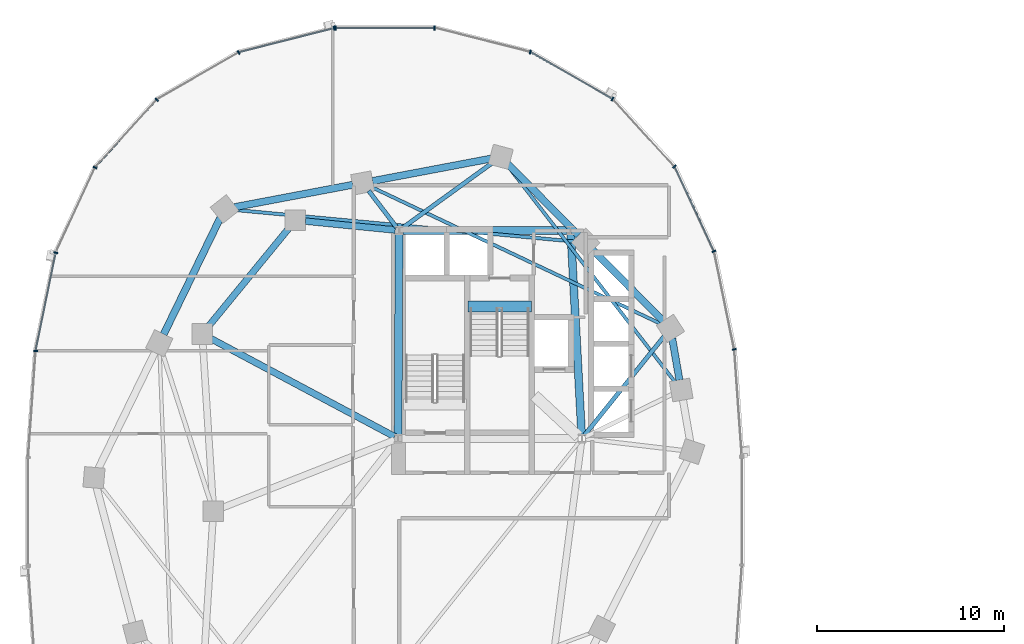
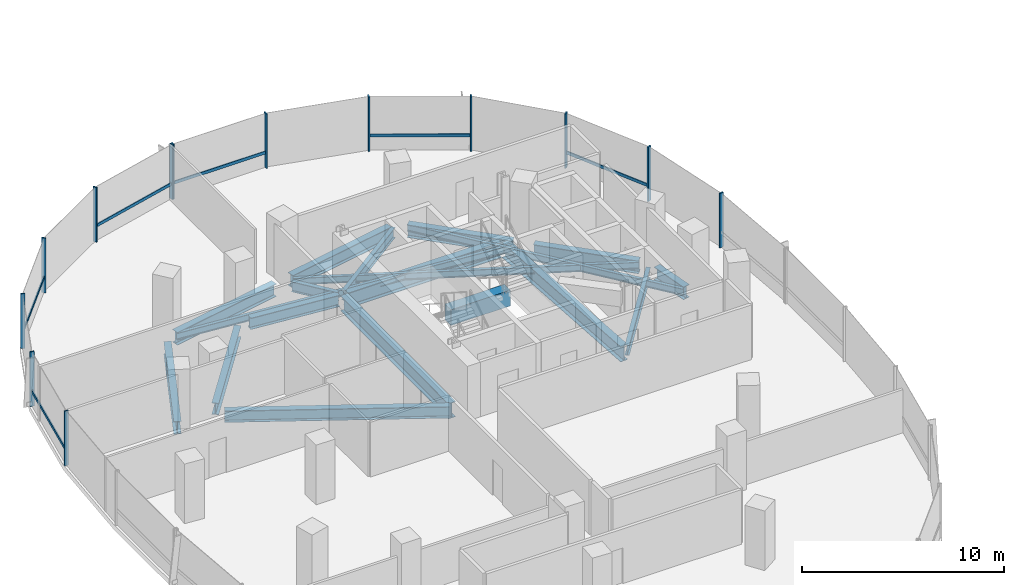
# One storey, part 4 of 21: 19 beams, 19 members, 2 elements without a shape of their own.
"""IFC4 building model written with IfcOpenShell, lengths in metres."""

import ifcopenshell
import ifcopenshell.guid

model = None  # the IFC model being written
_history = None  # IfcOwnerHistory: only IFC2X3 demands one
_inside = {}  # id of a spatial element -> (the spatial element, [elements in it])
_under = {}  # id of a project, library or spatial element -> (it, [spatial elements below it])
_declared = {}  # id of a project -> (the project, [libraries it declares])
_typed = {}  # id of a type object -> (the type object, [elements of that type])
_made_of = {}  # id of a material, layer set ... -> (it, [elements and type objects made of it])


def new_model(schema):
    """Start an empty IFC model of exactly this schema.

    Asked for "IFC4X3", IfcOpenShell would pick the latest addendum, in which some entities
    have other attributes; the version numbers below select the first issue.
    IFC2X3 requires an IfcOwnerHistory on every rooted entity: one is made here for all.
    """
    global model, _history
    if schema == "IFC4X3":
        model = ifcopenshell.file(schema_version=(4, 3, 0, 0))
    else:
        model = ifcopenshell.file(schema=schema)
    _inside.clear()
    _under.clear()
    _declared.clear()
    _typed.clear()
    _made_of.clear()
    _history = None
    if model.schema == "IFC2X3":
        org = make("IfcOrganization", Name="unknown")
        user = make(
            "IfcPersonAndOrganization",
            ThePerson=make("IfcPerson", FamilyName="unknown"),
            TheOrganization=org,
        )
        app = make(
            "IfcApplication",
            ApplicationDeveloper=org,
            Version="unknown",
            ApplicationFullName="unknown",
            ApplicationIdentifier="unknown",
        )
        _history = make(
            "IfcOwnerHistory",
            OwningUser=user,
            OwningApplication=app,
            ChangeAction="ADDED",
            CreationDate=0,
        )
    return model


def make(cls, **values):
    """One entity of the class cls with the attributes given. An attribute that is None is left unset."""
    return model.create_entity(
        cls, **{name: value for name, value in values.items() if value is not None}
    )


def rooted(cls, **values):
    """An entity with a GlobalId (a new one), such as an element, a storey or a relation."""
    return make(cls, GlobalId=ifcopenshell.guid.new(), OwnerHistory=_history, **values)


def si_unit(unit_type, name, prefix=None):
    """IfcSIUnit, for example si_unit("LENGTHUNIT", "METRE", prefix="MILLI")."""
    return make("IfcSIUnit", UnitType=unit_type, Prefix=prefix, Name=name)


def assignment(units):
    """IfcUnitAssignment: the units of a project."""
    return None if units is None else make("IfcUnitAssignment", Units=units)


def point(xyz):
    """IfcCartesianPoint."""
    return None if xyz is None else make("IfcCartesianPoint", Coordinates=xyz)


def direction(xyz):
    """IfcDirection."""
    return None if xyz is None else make("IfcDirection", DirectionRatios=xyz)


def frame(location, z_axis=None, x_axis=None):
    """IfcAxis2Placement3D, a coordinate frame: its origin and axes. An axis left out is left unset."""
    return make(
        "IfcAxis2Placement3D",
        Location=point(location),
        Axis=direction(z_axis),
        RefDirection=direction(x_axis),
    )


def frame_2d(location, x_axis=None):
    """IfcAxis2Placement2D, a coordinate frame in the plane: its origin and x axis."""
    return make(
        "IfcAxis2Placement2D", Location=point(location), RefDirection=direction(x_axis)
    )


def origin():
    """The frame at (0, 0, 0) with its axes left unset."""
    return frame((0.0, 0.0, 0.0))


def origin_2d():
    """The frame at (0, 0) in the plane with its x axis left unset."""
    return frame_2d((0.0, 0.0))


def place(relative_to, where):
    """IfcLocalPlacement: puts the frame where relative to a parent placement (None: the world)."""
    return make(
        "IfcLocalPlacement", PlacementRelTo=relative_to, RelativePlacement=where
    )


def context(
    kind, dimensions, precision=None, world=None, true_north=None, identifier=None
):
    """IfcGeometricRepresentationContext, for example the 3D "Model" context."""
    return make(
        "IfcGeometricRepresentationContext",
        ContextIdentifier=identifier,
        ContextType=kind,
        CoordinateSpaceDimension=dimensions,
        Precision=precision,
        WorldCoordinateSystem=world,
        TrueNorth=true_north,
    )


def subcontext(parent, identifier, kind, view, scale=None):
    """IfcGeometricRepresentationSubContext, for example "Body" below "Model"."""
    return make(
        "IfcGeometricRepresentationSubContext",
        ContextIdentifier=identifier,
        ContextType=kind,
        ParentContext=parent,
        TargetScale=scale,
        TargetView=view,
    )


def project(units=None, contexts=None):
    """IfcProject with its units and contexts."""
    return rooted(
        "IfcProject",
        Name="project",
        RepresentationContexts=contexts,
        UnitsInContext=assignment(units),
    )


def spatial(cls, under=None, at=None, **own):
    """A site, building, storey or space (cls), placed at a placement, below another one or the project."""
    s = rooted(cls, ObjectPlacement=at, **own)
    if under is not None:
        _under.setdefault(under.id(), (under, []))[1].append(s)
    return s


def profile(cls, at=None, kind="AREA", **sizes):
    """A parametric profile (cls). Its sizes go by their IFC names, for example OverallWidth=200.0."""
    return make(cls, ProfileType=kind, Position=at, **sizes)


def rectangle(**sizes):
    """IfcRectangleProfileDef."""
    return profile("IfcRectangleProfileDef", **sizes)


def i_section(**sizes):
    """IfcIShapeProfileDef."""
    return profile("IfcIShapeProfileDef", **sizes)


def extrude(swept, where, along, depth):
    """IfcExtrudedAreaSolid: the profile swept, set in the frame where, extruded along a direction by depth."""
    return make(
        "IfcExtrudedAreaSolid",
        SweptArea=swept,
        Position=where,
        ExtrudedDirection=direction(along),
        Depth=depth,
    )


def shape(context_of_items, identifier, shape_type, items):
    """IfcShapeRepresentation: the items that make up one representation, for example the "Body"."""
    return make(
        "IfcShapeRepresentation",
        ContextOfItems=context_of_items,
        RepresentationIdentifier=identifier,
        RepresentationType=shape_type,
        Items=items,
    )


def material(Name=None, Category=None):
    """IfcMaterial."""
    return make("IfcMaterial", Name=Name, Category=Category)


def material_profile(
    of_material, cross_section, Name=None, Category=None, Priority=None
):
    """IfcMaterialProfile: a cross section and its material."""
    return make(
        "IfcMaterialProfile",
        Name=Name,
        Material=of_material,
        Profile=cross_section,
        Priority=Priority,
        Category=Category,
    )


def profile_set(profiles, Name=None, composite=None):
    """IfcMaterialProfileSet."""
    return make(
        "IfcMaterialProfileSet",
        Name=Name,
        MaterialProfiles=profiles,
        CompositeProfile=composite,
    )


def made_of(thing, what):
    """Note that an element or type object is made of a material, layer set ...; save() writes the relation."""
    if what is not None:
        _made_of.setdefault(what.id(), (what, []))[1].append(thing)
    return thing


def type_object(cls, material=None, **own):
    """A type object (cls), such as IfcWallType, which elements share."""
    return made_of(rooted(cls, **own), material)


def element(
    cls,
    number,
    at=None,
    inside=None,
    cuts=None,
    type_object=None,
    material=None,
    context=None,
    identifier="Body",
    shape_type=None,
    held_by="IfcProductDefinitionShape",
    body=None,
    shapes=None,
    **own,
):
    """One element of the class cls, such as IfcWall. Its Tag is "e" and its number.

    at: its placement. inside: the storey or other place that contains it. cuts: it is an
    opening in that element (IfcRelVoidsElement). A single representation is given by context,
    identifier, shape_type and body (its items); several are given by shapes. held_by: the class
    of the entity that holds the representations. save() writes the other relations.
    """
    e = rooted(cls, Tag="e%d" % number, ObjectPlacement=at, **own)
    if body is not None:
        shapes = [shape(context, identifier, shape_type, body)]
    if shapes is not None:
        e.Representation = make(held_by, Representations=shapes)
    if inside is not None:
        _inside.setdefault(inside.id(), (inside, []))[1].append(e)
    if cuts is not None:
        rooted(
            "IfcRelVoidsElement", RelatingBuildingElement=cuts, RelatedOpeningElement=e
        )
    if type_object is not None:
        _typed.setdefault(type_object.id(), (type_object, []))[1].append(e)
    return made_of(e, material)


def aggregate(whole, parts):
    """IfcRelAggregates: a whole, such as a stair, and the parts it consists of."""
    return rooted("IfcRelAggregates", RelatingObject=whole, RelatedObjects=parts)


def save(model, path):
    """Write the relations noted so far, then the file.

    IfcRelAggregates (storeys below a building ...), IfcRelContainedInSpatialStructure (elements
    in a storey), IfcRelDefinesByType, IfcRelAssociatesMaterial and IfcRelDeclares: one each for
    every whole, place, type object, material and project.
    """
    for whole, parts in _under.values():
        aggregate(whole, parts)
    for where, things in _inside.values():
        rooted(
            "IfcRelContainedInSpatialStructure",
            RelatedElements=things,
            RelatingStructure=where,
        )
    for kind, things in _typed.values():
        rooted("IfcRelDefinesByType", RelatedObjects=things, RelatingType=kind)
    for what, things in _made_of.values():
        rooted("IfcRelAssociatesMaterial", RelatedObjects=things, RelatingMaterial=what)
    for by, libraries in _declared.values():
        rooted("IfcRelDeclares", RelatingContext=by, RelatedDefinitions=libraries)
    model.write(path)


model = new_model("IFC4")

# Units and contexts
model_context = context("Model", 3, precision=1e-05, world=origin(), true_north=direction((0.0, 1.0)))
body_context = subcontext(model_context, "Body", "Model", "MODEL_VIEW")
ifc_project = project(units=[si_unit("LENGTHUNIT", "METRE"), si_unit("AREAUNIT", "SQUARE_METRE"), si_unit("VOLUMEUNIT", "CUBIC_METRE"), si_unit("PLANEANGLEUNIT", "RADIAN"), si_unit("MASSUNIT", "GRAM", prefix="KILO"), si_unit("THERMODYNAMICTEMPERATUREUNIT", "KELVIN"), si_unit("POWERUNIT", "WATT")], contexts=[model_context])

# Site, building, storey
site_placement = place(None, origin())
site = spatial("IfcSite", under=ifc_project, at=site_placement, CompositionType="ELEMENT")
building_placement = place(site_placement, origin())
building = spatial("IfcBuilding", under=site, at=building_placement, Name="Cundina Bronze Exchange", CompositionType="ELEMENT")
storey_placement = place(building_placement, frame((0.0, 0.0, 110.60009765625)))
storey = spatial("IfcBuildingStorey", under=building, at=storey_placement, Name="L28", CompositionType="ELEMENT", Elevation=110.60009765625)

# Beams
ifc_material_1 = material(Name="Concrete C60/75", Category="concrete")
ifc_material_profile_1 = material_profile(ifc_material_1, rectangle(XDim=0.60009765625, YDim=0.949951171875, at=origin_2d()), Name="RC600X950", Category="concrete")
ifc_profile_set_1 = profile_set([ifc_material_profile_1], Name="Concrete C60/75")
beam_type_1 = type_object("IfcBeamType", Name="BM-COUP-RC950", PredefinedType="LINTEL", material=ifc_profile_set_1)
beam_1_placement = place(storey_placement, frame((-27.56005859375, 10.97998046875, -0.47509765625), z_axis=(1.0, 0.0, 0.0), x_axis=(0.0, 1.0, 0.0)))
element("IfcBeam", 1, at=beam_1_placement, inside=storey, type_object=beam_type_1, Name="L28 Stair W2 Landing Header Beam", PredefinedType="LINTEL", context=body_context, shape_type="SweptSolid", body=[
    extrude(rectangle(XDim=0.60009765625, YDim=0.949951171875, at=origin_2d()), origin(), (0.0, 0.0, 1.0), 3.400146484375),
])
ifc_material_2 = material(Name="Steel ASTM A992 Grade 50", Category="steel")
ifc_material_profile_2 = material_profile(ifc_material_2, i_section(OverallWidth=0.22998046875, OverallDepth=0.616943359375, WebThickness=0.01318359375, FlangeThickness=0.022216796875, FilletRadius=0.013916015625, at=origin_2d()), Name="W24X94", Category="steel")
ifc_profile_set_2 = profile_set([ifc_material_profile_2], Name="Steel ASTM A992 Grade 50")
beam_type_2 = type_object("IfcBeamType", Name="BM-FLR-W24B", PredefinedType="BEAM", material=ifc_profile_set_2)
beam_2_placement = place(storey_placement, frame((-21.322021484375, 4.058837890625, -0.608642578125), z_axis=(0.627106187843, 0.778933777139, 0.0), x_axis=(-0.778933777139, 0.627106187843, 0.0)))
element("IfcBeam", 2, at=beam_2_placement, inside=storey, type_object=beam_type_2, Name="L28 Leg W Radial Floor Beam 02", PredefinedType="BEAM", context=body_context, shape_type="SweptSolid", body=[
    extrude(i_section(OverallWidth=0.22998046875, OverallDepth=0.616943359375, WebThickness=0.01318359375, FlangeThickness=0.022216796875, FilletRadius=0.013916015625, at=origin_2d()), origin(), (0.0, 0.0, 1.0), 6.83251953125),
])
beam_3_placement = place(storey_placement, frame((-31.084716796875, 15.169677734375, -0.608642578125), z_axis=(0.809686957662, 0.586862020063, 0.0), x_axis=(-0.586862020063, 0.809686957662, 0.0)))
element("IfcBeam", 3, at=beam_3_placement, inside=storey, type_object=beam_type_2, Name="L28 Leg W Radial Floor Beam 04", PredefinedType="BEAM", context=body_context, shape_type="SweptSolid", body=[
    extrude(i_section(OverallWidth=0.22998046875, OverallDepth=0.616943359375, WebThickness=0.01318359375, FlangeThickness=0.022216796875, FilletRadius=0.013916015625, at=origin_2d()), origin(), (0.0, 0.0, 1.0), 5.98876953125),
])
beam_4_placement = place(storey_placement, frame((-31.373779296875, 15.2119140625, -0.608642578125), z_axis=(-0.607490490457, 0.79432695032, 0.0), x_axis=(-0.79432695032, -0.607490490457, 0.0)))
element("IfcBeam", 4, at=beam_4_placement, inside=storey, type_object=beam_type_2, Name="L28 Leg W Radial Floor Beam 05", PredefinedType="BEAM", context=body_context, shape_type="SweptSolid", body=[
    extrude(i_section(OverallWidth=0.22998046875, OverallDepth=0.616943359375, WebThickness=0.01318359375, FlangeThickness=0.022216796875, FilletRadius=0.013916015625, at=origin_2d()), origin(), (0.0, 0.0, 1.0), 2.46826171875),
])
ifc_material_profile_3 = material_profile(ifc_material_2, i_section(OverallWidth=0.178955078125, OverallDepth=0.409912109375, WebThickness=0.0087890625, FlangeThickness=0.014404296875, FilletRadius=0.010986328125, at=origin_2d()), Name="W16X45", Category="steel")
ifc_profile_set_3 = profile_set([ifc_material_profile_3], Name="Steel ASTM A992 Grade 50")
beam_type_3 = type_object("IfcBeamType", Name="BM-JST-W16", PredefinedType="JOIST", material=ifc_profile_set_3)
beam_5_placement = place(storey_placement, frame((-16.454345703125, 6.92529296875, -0.505126953125), z_axis=(-0.612065218806, 0.790807288742, 0.0), x_axis=(-0.790807288742, -0.612065218806, 0.0)))
element("IfcBeam", 5, at=beam_5_placement, inside=storey, type_object=beam_type_3, Name="L28 Leg W Lobe Floor Joist 01-04", PredefinedType="JOIST", context=body_context, shape_type="SweptSolid", body=[
    extrude(i_section(OverallWidth=0.178955078125, OverallDepth=0.409912109375, WebThickness=0.0087890625, FlangeThickness=0.014404296875, FilletRadius=0.010986328125, at=origin_2d()), origin(), (0.0, 0.0, 1.0), 14.73095703125),
])
beam_6_placement = place(storey_placement, frame((-17.186279296875, 10.02978515625, -0.505126953125), z_axis=(-0.904069270633, 0.427385954259, 0.0), x_axis=(-0.427385954259, -0.904069270633, 0.0)))
element("IfcBeam", 6, at=beam_6_placement, inside=storey, type_object=beam_type_3, Name="L28 Leg W Lobe Floor Joist 02-05", PredefinedType="JOIST", context=body_context, shape_type="SweptSolid", body=[
    extrude(i_section(OverallWidth=0.178955078125, OverallDepth=0.409912109375, WebThickness=0.0087890625, FlangeThickness=0.014404296875, FilletRadius=0.010986328125, at=origin_2d()), origin(), (0.0, 0.0, 1.0), 17.175048828125),
])
beam_7_placement = place(storey_placement, frame((-21.78564453125, 14.44970703125, -0.505126953125), z_axis=(-0.995700674022, 0.092629194921, 0.0), x_axis=(-0.092629194921, -0.995700674022, 0.0)))
element("IfcBeam", 7, at=beam_7_placement, inside=storey, type_object=beam_type_3, Name="L28 Leg W Lobe Floor Joist 03-06", PredefinedType="JOIST", context=body_context, shape_type="SweptSolid", body=[
    extrude(i_section(OverallWidth=0.178955078125, OverallDepth=0.409912109375, WebThickness=0.0087890625, FlangeThickness=0.014404296875, FilletRadius=0.010986328125, at=origin_2d()), origin(), (0.0, 0.0, 1.0), 18.357421875),
])
ifc_material_profile_4 = material_profile(ifc_material_2, i_section(OverallWidth=0.35498046875, OverallDepth=0.695068359375, WebThickness=0.015380859375, FlangeThickness=0.02490234375, FilletRadius=0.01806640625, at=origin_2d()), Name="W27X146", Category="steel")
ifc_profile_set_4 = profile_set([ifc_material_profile_4], Name="Steel ASTM A992 Grade 50")
beam_type_4 = type_object("IfcBeamType", Name="BM-RING-W27", PredefinedType="USERDEFINED", material=ifc_profile_set_4)
beam_8_placement = place(storey_placement, frame((-31.452880859375, 15.070068359375, -0.647705078125), z_axis=(-0.995126271817, 0.098608839051, 0.0), x_axis=(-0.098608839051, -0.995126271817, 0.0)))
element("IfcBeam", 8, at=beam_8_placement, inside=storey, type_object=beam_type_4, Name="L28 W Inner Structural Ring Girder 01", ObjectType="GIRDER", PredefinedType="USERDEFINED", context=body_context, shape_type="SweptSolid", body=[
    extrude(i_section(OverallWidth=0.35498046875, OverallDepth=0.695068359375, WebThickness=0.015380859375, FlangeThickness=0.02490234375, FilletRadius=0.01806640625, at=origin_2d()), origin(), (0.0, 0.0, 1.0), 4.83544921875),
])
beam_9_placement = place(storey_placement, frame((-37.14111328125, 15.183837890625, -0.647705078125), z_axis=(-0.633926549035, -0.773393257295, 0.0), x_axis=(0.773393257295, -0.633926549035, 0.0)))
element("IfcBeam", 9, at=beam_9_placement, inside=storey, type_object=beam_type_4, Name="L28 W Inner Structural Ring Girder 02", ObjectType="GIRDER", PredefinedType="USERDEFINED", context=body_context, shape_type="SweptSolid", body=[
    extrude(i_section(OverallWidth=0.35498046875, OverallDepth=0.695068359375, WebThickness=0.015380859375, FlangeThickness=0.02490234375, FilletRadius=0.01806640625, at=origin_2d()), origin(), (0.0, 0.0, 1.0), 6.811279296875),
])
beam_10_placement = place(storey_placement, frame((-31.47998046875, 3.99609375, -0.647705078125), z_axis=(-0.882354758239, 0.470584828286, 0.0), x_axis=(-0.470584828286, -0.882354758239, 0.0)))
element("IfcBeam", 10, at=beam_10_placement, inside=storey, type_object=beam_type_4, Name="L28 W Core-to-Waist Tie Beam 2", ObjectType="GIRDER", PredefinedType="USERDEFINED", context=body_context, shape_type="SweptSolid", body=[
    extrude(i_section(OverallWidth=0.35498046875, OverallDepth=0.695068359375, WebThickness=0.015380859375, FlangeThickness=0.02490234375, FilletRadius=0.01806640625, at=origin_2d()), origin(), (0.0, 0.0, 1.0), 11.157958984375),
])
ifc_material_profile_5 = material_profile(ifc_material_2, i_section(OverallWidth=0.381103515625, OverallDepth=0.77294921875, WebThickness=0.0166015625, FlangeThickness=0.027099609375, FilletRadius=0.01904296875, at=origin_2d()), Name="W30X173", Category="steel")
ifc_profile_set_5 = profile_set([ifc_material_profile_5], Name="Steel ASTM A992 Grade 50")
beam_type_5 = type_object("IfcBeamType", Name="BM-RING-W30", PredefinedType="USERDEFINED", material=ifc_profile_set_5)
beam_11_placement = place(storey_placement, frame((-16.21728515625, 7.030029296875, -0.6865234375), z_axis=(-0.171690078326, 0.985151012284, 0.0), x_axis=(-0.985151012284, -0.171690078326, 0.0)))
element("IfcBeam", 11, at=beam_11_placement, inside=storey, type_object=beam_type_5, Name="L28 W Perimeter Ring Girder 01", ObjectType="GIRDER", PredefinedType="USERDEFINED", context=body_context, shape_type="SweptSolid", body=[
    extrude(i_section(OverallWidth=0.381103515625, OverallDepth=0.77294921875, WebThickness=0.0166015625, FlangeThickness=0.027099609375, FilletRadius=0.01904296875, at=origin_2d()), origin(), (0.0, 0.0, 1.0), 2.273681640625),
])
for number, where, z_axis, x_axis, name in (
    (12, (-17.078369140625, 10.1826171875, -0.6865234375), (-0.703226342126, 0.7109660412, 0.0), (-0.7109660412, -0.703226342126, 0.0), "L28 W Perimeter Ring Girder 02"),
    (13, (-21.62841796875, 14.782470703125, -0.6865234375), (-0.703226342126, 0.7109660412, 0.0), (-0.7109660412, -0.703226342126, 0.0), "L28 W Perimeter Ring Girder 03"),
):
    element("IfcBeam", number, at=place(storey_placement, frame(where, z_axis=z_axis, x_axis=x_axis)), inside=storey, type_object=beam_type_5, Name=name, ObjectType="GIRDER", PredefinedType="USERDEFINED", context=body_context, shape_type="SweptSolid", body=[
        extrude(i_section(OverallWidth=0.381103515625, OverallDepth=0.77294921875, WebThickness=0.0166015625, FlangeThickness=0.027099609375, FilletRadius=0.01904296875, at=origin_2d()), origin(), (0.0, 0.0, 1.0), 5.39404296875),
    ])
for number, where, z_axis, x_axis, name in (
    (14, (-26.32861328125, 18.89990234375, -0.6865234375), (-0.98257117919, -0.185886733861, 0.0), (0.185886733861, -0.98257117919, 0.0), "L28 W Perimeter Ring Girder 04"),
    (15, (-33.728515625, 17.5, -0.6865234375), (-0.98257117919, -0.185886733861, 0.0), (0.185886733861, -0.98257117919, 0.0), "L28 W Perimeter Ring Girder 05"),
):
    element("IfcBeam", number, at=place(storey_placement, frame(where, z_axis=z_axis, x_axis=x_axis)), inside=storey, type_object=beam_type_5, Name=name, ObjectType="GIRDER", PredefinedType="USERDEFINED", context=body_context, shape_type="SweptSolid", body=[
        extrude(i_section(OverallWidth=0.381103515625, OverallDepth=0.77294921875, WebThickness=0.0166015625, FlangeThickness=0.027099609375, FilletRadius=0.01904296875, at=origin_2d()), origin(), (0.0, 0.0, 1.0), 6.455322265625),
    ])
beam_12_placement = place(storey_placement, frame((-40.835205078125, 15.716064453125, -0.6865234375), z_axis=(-0.437193894283, -0.899367276924, 0.0), x_axis=(0.899367276924, -0.437193894283, 0.0)))
element("IfcBeam", 16, at=beam_12_placement, inside=storey, type_object=beam_type_5, Name="L28 W Perimeter Ring Girder 06", ObjectType="GIRDER", PredefinedType="USERDEFINED", context=body_context, shape_type="SweptSolid", body=[
    extrude(i_section(OverallWidth=0.381103515625, OverallDepth=0.77294921875, WebThickness=0.0166015625, FlangeThickness=0.027099609375, FilletRadius=0.01904296875, at=origin_2d()), origin(), (0.0, 0.0, 1.0), 6.929443359375),
])
ifc_material_profile_6 = material_profile(ifc_material_2, i_section(OverallWidth=0.41796875, OverallDepth=0.927001953125, WebThickness=0.019287109375, FlangeThickness=0.031982421875, FilletRadius=0.02392578125, at=origin_2d()), Name="W36X231", Category="steel")
ifc_profile_set_6 = profile_set([ifc_material_profile_6], Name="Steel ASTM A992 Grade 50")
beam_type_6 = type_object("IfcBeamType", Name="BM-WRN-W36B", PredefinedType="USERDEFINED", material=ifc_profile_set_6)
beam_13_placement = place(storey_placement, frame((-21.4609375, 4.103759765625, -0.763671875), z_axis=(-0.053739193498, 0.998555005537, 0.0), x_axis=(-0.998555005537, -0.053739193498, 0.0)))
element("IfcBeam", 17, at=beam_13_placement, inside=storey, type_object=beam_type_6, Name="L28 W Core Perimeter Tie Girder 2", ObjectType="GIRDER", PredefinedType="USERDEFINED", context=body_context, shape_type="SweptSolid", body=[
    extrude(i_section(OverallWidth=0.41796875, OverallDepth=0.927001953125, WebThickness=0.019287109375, FlangeThickness=0.031982421875, FilletRadius=0.02392578125, at=origin_2d()), origin(), (0.0, 0.0, 1.0), 10.758056640625),
])
beam_14_placement = place(storey_placement, frame((-22.25390625, 15.050048828125, -0.763671875), z_axis=(-1.0, 0.0, 0.0), x_axis=(0.0, -1.0, 0.0)))
element("IfcBeam", 18, at=beam_14_placement, inside=storey, type_object=beam_type_6, Name="L28 W Core Perimeter Tie Girder 3", ObjectType="GIRDER", PredefinedType="USERDEFINED", context=body_context, shape_type="SweptSolid", body=[
    extrude(i_section(OverallWidth=0.41796875, OverallDepth=0.927001953125, WebThickness=0.019287109375, FlangeThickness=0.031982421875, FilletRadius=0.02392578125, at=origin_2d()), origin(), (0.0, 0.0, 1.0), 8.7919921875),
])
beam_15_placement = place(storey_placement, frame((-31.2509765625, 14.845947265625, -0.763671875), z_axis=(-0.004477329608, -0.99998997671, 0.0), x_axis=(0.99998997671, -0.004477329608, 0.0)))
element("IfcBeam", 19, at=beam_15_placement, inside=storey, type_object=beam_type_6, Name="L28 W Core Perimeter Tie Girder 4", ObjectType="GIRDER", PredefinedType="USERDEFINED", context=body_context, shape_type="SweptSolid", body=[
    extrude(i_section(OverallWidth=0.41796875, OverallDepth=0.927001953125, WebThickness=0.019287109375, FlangeThickness=0.031982421875, FilletRadius=0.02392578125, at=origin_2d()), origin(), (0.0, 0.0, 1.0), 10.741943359375),
])

# Curtain wall, members
ifc_material_3 = material(Name="Anodised Bronze Aluminium 6063-T6", Category="aluminium")
curtain_wall_type = type_object("IfcCurtainWallType", Name="CWS-TRD-MID", PredefinedType="NOTDEFINED", material=ifc_material_3)
curtain_wall_1_placement = place(storey_placement, origin())
curtain_wall_1 = element("IfcCurtainWall", 20, at=curtain_wall_1_placement, inside=storey, type_object=curtain_wall_type, Name="L28 CW-03 Curtain Wall Run CWR-L28-W1", PredefinedType="NOTDEFINED")
ifc_material_profile_7 = material_profile(ifc_material_3, rectangle(XDim=0.074951171875, YDim=0.219970703125, at=origin_2d()), Name="AL75X220", Category="aluminium")
ifc_profile_set_7 = profile_set([ifc_material_profile_7], Name="Anodised Bronze Aluminium 6063-T6")
member_type_1 = type_object("IfcMemberType", Name="CWM-MUL-220", PredefinedType="MULLION", material=ifc_profile_set_7)
member_1_placement = place(storey_placement, frame((-13.282958984375, 8.67822265625, 0.0), z_axis=(0.0, 0.0, 1.0), x_axis=(-0.201419845156, 0.979505000486, 0.0)))
member_1 = element("IfcMember", 21, at=member_1_placement, type_object=member_type_1, Name="CW-03 Mullion 2", PredefinedType="MULLION", context=body_context, shape_type="SweptSolid", body=[
    extrude(rectangle(XDim=0.074951171875, YDim=0.219970703125, at=origin_2d()), origin(), (0.0, 0.0, 1.0), 3.2998046875),
])
member_2_placement = place(storey_placement, frame((-14.3720703125, 13.931884765625, 0.0), z_axis=(0.0, 0.0, 1.0), x_axis=(-0.42087749791, 0.907117485088, 0.0)))
member_2 = element("IfcMember", 22, at=member_2_placement, type_object=member_type_1, Name="CW-03 Mullion 3", PredefinedType="MULLION", context=body_context, shape_type="SweptSolid", body=[
    extrude(rectangle(XDim=0.074951171875, YDim=0.219970703125, at=origin_2d()), origin(), (0.0, 0.0, 1.0), 3.2998046875),
])
member_3_placement = place(storey_placement, frame((-16.491455078125, 18.47705078125, 0.0), z_axis=(0.0, 0.0, 1.0), x_axis=(-0.674302387584, 0.738455340626, 0.0)))
member_3 = element("IfcMember", 23, at=member_3_placement, type_object=member_type_1, Name="CW-03 Mullion 4", PredefinedType="MULLION", context=body_context, shape_type="SweptSolid", body=[
    extrude(rectangle(XDim=0.074951171875, YDim=0.219970703125, at=origin_2d()), origin(), (0.0, 0.0, 1.0), 3.2998046875),
])
member_4_placement = place(storey_placement, frame((-19.810302734375, 22.097412109375, 0.0), z_axis=(0.0, 0.0, 1.0), x_axis=(-0.867070701164, 0.498185105339, 0.0)))
member_4 = element("IfcMember", 24, at=member_4_placement, type_object=member_type_1, Name="CW-03 Mullion 5", PredefinedType="MULLION", context=body_context, shape_type="SweptSolid", body=[
    extrude(rectangle(XDim=0.074951171875, YDim=0.219970703125, at=origin_2d()), origin(), (0.0, 0.0, 1.0), 3.2998046875),
])
member_5_placement = place(storey_placement, frame((-24.21484375, 24.61669921875, 0.0), z_axis=(0.0, 0.0, 1.0), x_axis=(-0.969488149345, 0.245138182011, 0.0)))
member_5 = element("IfcMember", 25, at=member_5_placement, type_object=member_type_1, Name="CW-03 Mullion 6", PredefinedType="MULLION", context=body_context, shape_type="SweptSolid", body=[
    extrude(rectangle(XDim=0.074951171875, YDim=0.219970703125, at=origin_2d()), origin(), (0.0, 0.0, 1.0), 3.2998046875),
])
member_6_placement = place(storey_placement, frame((-29.345458984375, 25.905029296875, 0.0), z_axis=(0.0, 0.0, 1.0), x_axis=(-1.0, 0.0, 0.0)))
member_6 = element("IfcMember", 26, at=member_6_placement, type_object=member_type_1, Name="CW-03 Mullion 7", PredefinedType="MULLION", context=body_context, shape_type="SweptSolid", body=[
    extrude(rectangle(XDim=0.074951171875, YDim=0.219970703125, at=origin_2d()), origin(), (0.0, 0.0, 1.0), 3.2998046875),
])
member_7_placement = place(storey_placement, frame((-34.654541015625, 25.905029296875, 0.0), z_axis=(0.0, 0.0, 1.0), x_axis=(-1.0, 0.0, 0.0)))
member_7 = element("IfcMember", 27, at=member_7_placement, type_object=member_type_1, Name="CW-03 End Mullion", PredefinedType="MULLION", context=body_context, shape_type="SweptSolid", body=[
    extrude(rectangle(XDim=0.074951171875, YDim=0.219970703125, at=origin_2d()), origin(), (0.0, 0.0, 1.0), 3.2998046875),
])

curtain_wall_2_placement = place(storey_placement, origin())
curtain_wall_2 = element("IfcCurtainWall", 28, at=curtain_wall_2_placement, inside=storey, type_object=curtain_wall_type, Name="L28 CW-03 Curtain Wall Run CWR-L28-W2", PredefinedType="NOTDEFINED")
member_8_placement = place(storey_placement, frame((-34.72607421875, 25.89599609375, 0.0), z_axis=(0.0, 0.0, 1.0), x_axis=(-0.969488149345, -0.245138182011, 0.0)))
member_8 = element("IfcMember", 29, at=member_8_placement, type_object=member_type_1, Name="CW-03 Mullion 1", PredefinedType="MULLION", context=body_context, shape_type="SweptSolid", body=[
    extrude(rectangle(XDim=0.074951171875, YDim=0.219970703125, at=origin_2d()), origin(), (0.0, 0.0, 1.0), 3.2998046875),
])
member_9_placement = place(storey_placement, frame((-39.848876953125, 24.591064453125, 0.0), z_axis=(0.0, 0.0, 1.0), x_axis=(-0.867070701164, -0.498185105339, 0.0)))
member_9 = element("IfcMember", 30, at=member_9_placement, type_object=member_type_1, Name="CW-03 Mullion 2", PredefinedType="MULLION", context=body_context, shape_type="SweptSolid", body=[
    extrude(rectangle(XDim=0.074951171875, YDim=0.219970703125, at=origin_2d()), origin(), (0.0, 0.0, 1.0), 3.2998046875),
])
member_10_placement = place(storey_placement, frame((-44.239501953125, 22.0576171875, 0.0), z_axis=(0.0, 0.0, 1.0), x_axis=(-0.674302387584, -0.738455340626, 0.0)))
member_10 = element("IfcMember", 31, at=member_10_placement, type_object=member_type_1, Name="CW-03 Mullion 3", PredefinedType="MULLION", context=body_context, shape_type="SweptSolid", body=[
    extrude(rectangle(XDim=0.074951171875, YDim=0.219970703125, at=origin_2d()), origin(), (0.0, 0.0, 1.0), 3.2998046875),
])
member_11_placement = place(storey_placement, frame((-47.544189453125, 18.423583984375, 0.0), z_axis=(0.0, 0.0, 1.0), x_axis=(-0.42087749791, -0.907117485088, 0.0)))
member_11 = element("IfcMember", 32, at=member_11_placement, type_object=member_type_1, Name="CW-03 Mullion 4", PredefinedType="MULLION", context=body_context, shape_type="SweptSolid", body=[
    extrude(rectangle(XDim=0.074951171875, YDim=0.219970703125, at=origin_2d()), origin(), (0.0, 0.0, 1.0), 3.2998046875),
])
member_12_placement = place(storey_placement, frame((-49.651123046875, 13.861328125, 0.0), z_axis=(0.0, 0.0, 1.0), x_axis=(-0.201419845156, -0.979505000486, 0.0)))
member_12 = element("IfcMember", 33, at=member_12_placement, type_object=member_type_1, Name="CW-03 Mullion 5", PredefinedType="MULLION", context=body_context, shape_type="SweptSolid", body=[
    extrude(rectangle(XDim=0.074951171875, YDim=0.219970703125, at=origin_2d()), origin(), (0.0, 0.0, 1.0), 3.2998046875),
])
member_13_placement = place(storey_placement, frame((-50.72900390625, 8.591552734375, 0.0), z_axis=(0.0, 0.0, 1.0), x_axis=(-0.070278787473, -0.997527389113, 0.0)))
member_13 = element("IfcMember", 34, at=member_13_placement, type_object=member_type_1, Name="CW-03 Mullion 6", PredefinedType="MULLION", context=body_context, shape_type="SweptSolid", body=[
    extrude(rectangle(XDim=0.074951171875, YDim=0.219970703125, at=origin_2d()), origin(), (0.0, 0.0, 1.0), 3.2998046875),
])

# Member
ifc_material_profile_8 = material_profile(ifc_material_3, rectangle(XDim=0.070068359375, YDim=0.179931640625, at=origin_2d()), Name="AL70X180", Category="aluminium")
ifc_profile_set_8 = profile_set([ifc_material_profile_8], Name="Anodised Bronze Aluminium 6063-T6")
member_type_2 = type_object("IfcMemberType", Name="CWM-TRN-180", PredefinedType="USERDEFINED", material=ifc_profile_set_8)
member_14_placement = place(storey_placement, frame((-14.389404296875, 13.96923828125, 0.919921875), z_axis=(-0.420811422796, 0.907148139195, 0.0), x_axis=(-0.907148139195, -0.420811422796, 0.0)))
member_14 = element("IfcMember", 35, at=member_14_placement, type_object=member_type_2, Name="CW-03 Spandrel Transom 3", ObjectType="TRANSOM", PredefinedType="USERDEFINED", context=body_context, shape_type="SweptSolid", body=[
    extrude(rectangle(XDim=0.070068359375, YDim=0.179931640625, at=origin_2d()), origin(), (0.0, 0.0, 1.0), 4.95166015625),
])

member_15_placement = place(storey_placement, frame((-19.845947265625, 22.117919921875, 0.919921875), z_axis=(-0.867097475651, 0.498138502546, 0.0), x_axis=(-0.498138502546, -0.867097475651, 0.0)))
member_15 = element("IfcMember", 36, at=member_15_placement, type_object=member_type_2, Name="CW-03 Spandrel Transom 5", ObjectType="TRANSOM", PredefinedType="USERDEFINED", context=body_context, shape_type="SweptSolid", body=[
    extrude(rectangle(XDim=0.070068359375, YDim=0.179931640625, at=origin_2d()), origin(), (0.0, 0.0, 1.0), 5.00634765625),
])

member_16_placement = place(storey_placement, frame((-29.38671875, 25.905029296875, 0.919921875), z_axis=(-1.0, 0.0, 0.0), x_axis=(0.0, -1.0, 0.0)))
member_16 = element("IfcMember", 37, at=member_16_placement, type_object=member_type_2, Name="CW-03 Spandrel Transom 7", ObjectType="TRANSOM", PredefinedType="USERDEFINED", context=body_context, shape_type="SweptSolid", body=[
    extrude(rectangle(XDim=0.070068359375, YDim=0.179931640625, at=origin_2d()), origin(), (0.0, 0.0, 1.0), 5.2265625),
])

aggregate(curtain_wall_1, [member_1, member_2, member_14, member_3, member_4, member_15, member_5, member_6, member_7, member_16])

member_17_placement = place(storey_placement, frame((-34.76611328125, 25.885986328125, 0.919921875), z_axis=(-0.969483968866, -0.245154714644, 0.0), x_axis=(0.245154714644, -0.969483968866, 0.0)))
member_17 = element("IfcMember", 38, at=member_17_placement, type_object=member_type_2, Name="CW-03 Spandrel Transom 1", ObjectType="TRANSOM", PredefinedType="USERDEFINED", context=body_context, shape_type="SweptSolid", body=[
    extrude(rectangle(XDim=0.070068359375, YDim=0.179931640625, at=origin_2d()), origin(), (0.0, 0.0, 1.0), 5.21826171875),
])

member_18_placement = place(storey_placement, frame((-44.26708984375, 22.027099609375, 0.919921875), z_axis=(-0.674302794847, -0.738454968743, 0.0), x_axis=(0.738454968743, -0.674302794847, 0.0)))
member_18 = element("IfcMember", 39, at=member_18_placement, type_object=member_type_2, Name="CW-03 Spandrel Transom 3", ObjectType="TRANSOM", PredefinedType="USERDEFINED", context=body_context, shape_type="SweptSolid", body=[
    extrude(rectangle(XDim=0.070068359375, YDim=0.179931640625, at=origin_2d()), origin(), (0.0, 0.0, 1.0), 4.848388671875),
])

member_19_placement = place(storey_placement, frame((-49.659423828125, 13.821044921875, 0.919921875), z_axis=(-0.201427712708, -0.979503382615, 0.0), x_axis=(0.979503382615, -0.201427712708, 0.0)))
member_19 = element("IfcMember", 40, at=member_19_placement, type_object=member_type_2, Name="CW-03 Spandrel Transom 5", ObjectType="TRANSOM", PredefinedType="USERDEFINED", context=body_context, shape_type="SweptSolid", body=[
    extrude(rectangle(XDim=0.070068359375, YDim=0.179931640625, at=origin_2d()), origin(), (0.0, 0.0, 1.0), 5.291748046875),
])

aggregate(curtain_wall_2, [member_8, member_17, member_9, member_10, member_18, member_11, member_12, member_19, member_13])

save(model, "model.ifc")
